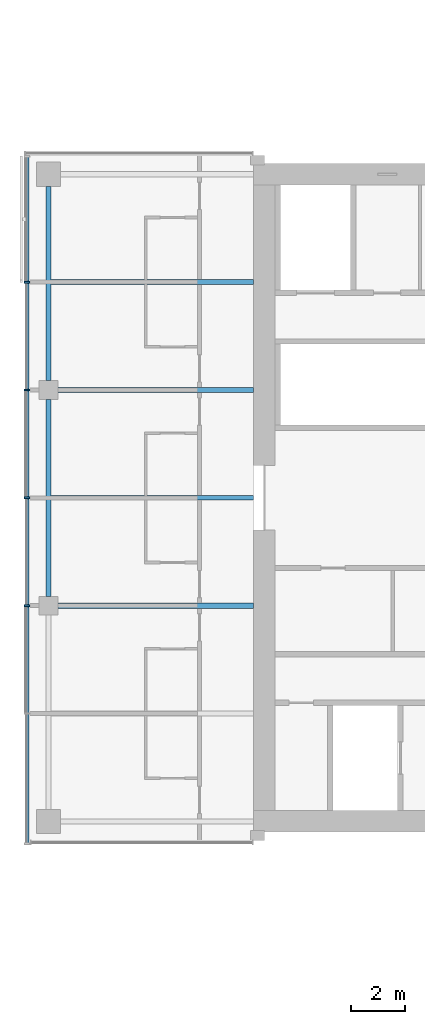
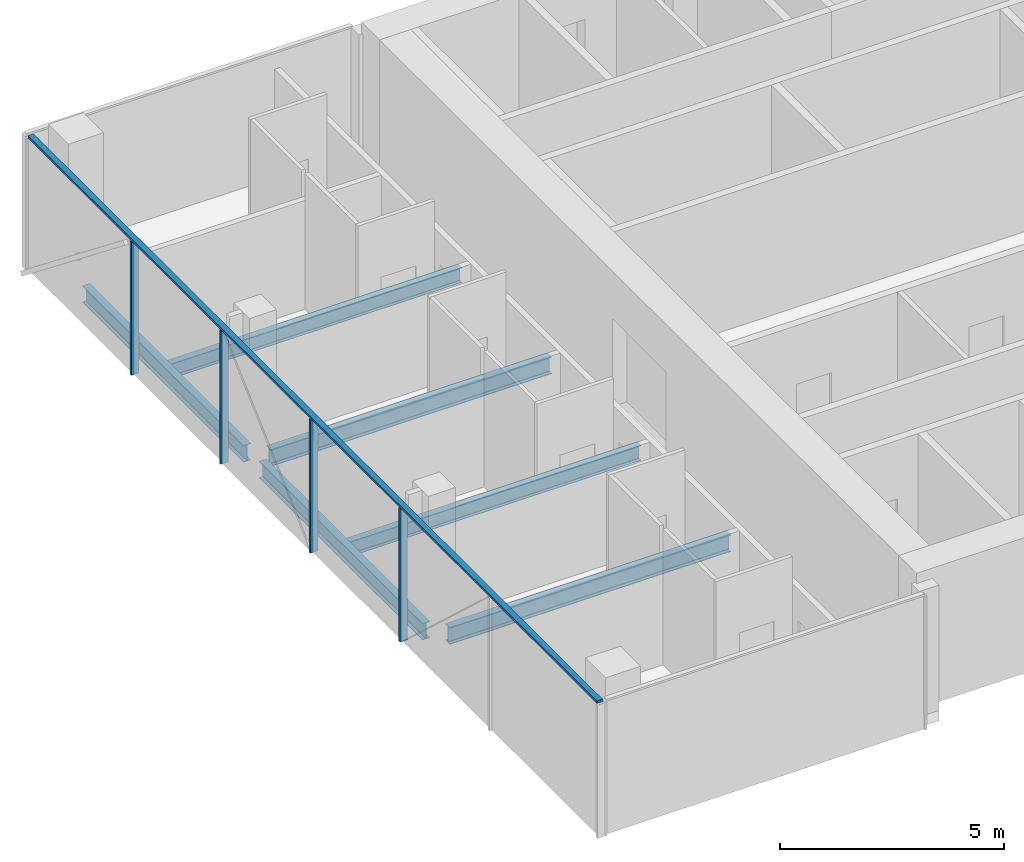
# One storey, part 6 of 27: 6 beams, 5 members, 1 element without a shape of its own.
"""IFC4 building model written with IfcOpenShell, lengths in metres."""

from ifc_helpers import new_model, si_unit, direction, frame, origin, origin_2d, place, context, subcontext, project, spatial, rectangle, i_section, extrude, material, material_profile, profile_set, type_object, element, aggregate, save


model = new_model("IFC4")

# Units and contexts
model_context = context("Model", 3, precision=1e-05, world=origin(), true_north=direction((0.0, 1.0)))
body_context = subcontext(model_context, "Body", "Model", "MODEL_VIEW")
ifc_project = project(units=[si_unit("LENGTHUNIT", "METRE"), si_unit("AREAUNIT", "SQUARE_METRE"), si_unit("VOLUMEUNIT", "CUBIC_METRE"), si_unit("PLANEANGLEUNIT", "RADIAN"), si_unit("MASSUNIT", "GRAM", prefix="KILO")], contexts=[model_context])

# Site, building, storey
site_placement = place(None, origin())
site = spatial("IfcSite", under=ifc_project, at=site_placement, CompositionType="ELEMENT")
building_placement = place(site_placement, origin())
building = spatial("IfcBuilding", under=site, at=building_placement, Name="Crosswind Convention Tower", CompositionType="ELEMENT")
storey_placement = place(building_placement, frame((0.0, 0.0, 64.60009765625)))
storey = spatial("IfcBuildingStorey", under=building, at=storey_placement, Name="L10", CompositionType="ELEMENT", Elevation=64.60009765625)

# Beams
ifc_material_1 = material(Name="Steel S355", Category="steel")
ifc_material_profile_1 = material_profile(ifc_material_1, i_section(OverallWidth=0.1904296875, OverallDepth=0.457275390625, WebThickness=0.009033203125, FlangeThickness=0.014404296875, FilletRadius=0.01025390625, at=origin_2d()), Name="UB 457x191x75")
ifc_profile_set_1 = profile_set([ifc_material_profile_1], Name="Steel S355")
beam_type_1 = type_object("IfcBeamType", Name="Edge beam UB 457x191x75", PredefinedType="SPANDREL", material=ifc_profile_set_1)
beam_1_placement = place(storey_placement, frame((89.0, 96.35009765625, -0.5087890625), z_axis=(0.0, 1.0, 0.0), x_axis=(-1.0, 0.0, 0.0)))
element("IfcBeam", 1, at=beam_1_placement, inside=storey, type_object=beam_type_1, Name="B17 L10 edge beam 2", PredefinedType="SPANDREL", context=body_context, shape_type="SweptSolid", body=[
    extrude(i_section(OverallWidth=0.1904296875, OverallDepth=0.457275390625, WebThickness=0.009033203125, FlangeThickness=0.014404296875, FilletRadius=0.01025390625, at=origin_2d()), origin(), (0.0, 0.0, 1.0), 7.2998046875),
])
beam_2_placement = place(storey_placement, frame((89.0, 104.35009765625, -0.5087890625), z_axis=(0.0, 1.0, 0.0), x_axis=(-1.0, 0.0, 0.0)))
element("IfcBeam", 2, at=beam_2_placement, inside=storey, type_object=beam_type_1, Name="B17 L10 edge beam 3", PredefinedType="SPANDREL", context=body_context, shape_type="SweptSolid", body=[
    extrude(i_section(OverallWidth=0.1904296875, OverallDepth=0.457275390625, WebThickness=0.009033203125, FlangeThickness=0.014404296875, FilletRadius=0.01025390625, at=origin_2d()), origin(), (0.0, 0.0, 1.0), 7.199951171875),
])
ifc_material_profile_2 = material_profile(ifc_material_1, i_section(OverallWidth=0.19189453125, OverallDepth=0.463623046875, WebThickness=0.010498046875, FlangeThickness=0.017578125, FilletRadius=0.01025390625, at=origin_2d()), Name="UB 457x191x90")
ifc_profile_set_2 = profile_set([ifc_material_profile_2], Name="Steel S355")
beam_type_2 = type_object("IfcBeamType", Name="Girder at core wall UB 457x191x90", PredefinedType="BEAM", material=ifc_profile_set_2)
for number, where, z_axis, x_axis, name in (
    (3, (89.35009765625, 96.0, -0.511962890625), (1.0, 0.0, 0.0), (0.0, 1.0, 0.0), "B24 L10 girder at core wall 1"),
    (4, (89.35009765625, 104.0, -0.511962890625), (1.0, 0.0, 0.0), (0.0, 1.0, 0.0), "B24 L10 girder at core wall 2"),
):
    element("IfcBeam", number, at=place(storey_placement, frame(where, z_axis=z_axis, x_axis=x_axis)), inside=storey, type_object=beam_type_2, Name=name, PredefinedType="BEAM", context=body_context, shape_type="SweptSolid", body=[
        extrude(i_section(OverallWidth=0.19189453125, OverallDepth=0.463623046875, WebThickness=0.010498046875, FlangeThickness=0.017578125, FilletRadius=0.01025390625, at=origin_2d()), origin(), (0.0, 0.0, 1.0), 7.25),
    ])

# Curtain wall, members
ifc_material_2 = material(Name="Aluminium unitised curtain wall", Category="aluminium")
curtain_wall_type = type_object("IfcCurtainWallType", Name="HOTEL UNITISED WALL 200", PredefinedType="USERDEFINED", material=ifc_material_2)
curtain_wall_placement = place(storey_placement, origin())
curtain_wall = element("IfcCurtainWall", 5, at=curtain_wall_placement, inside=storey, type_object=curtain_wall_type, Name="CW2 L10 W-TIP 1", ObjectType="UNITISED", PredefinedType="USERDEFINED")
ifc_material_3 = material(Name="Aluminium mullion", Category="aluminium")
ifc_material_profile_3 = material_profile(ifc_material_3, rectangle(XDim=0.199951171875, YDim=0.06494140625, at=origin_2d()), Name="AL 200X65")
ifc_profile_set_3 = profile_set([ifc_material_profile_3], Name="Aluminium mullion")
member_type_1 = type_object("IfcMemberType", Name="MULLION 65X200", PredefinedType="MULLION", material=ifc_profile_set_3)
member_1_placement = place(storey_placement, frame((88.199951171875, 108.0, -0.280029296875), z_axis=(0.0, 0.0, 1.0), x_axis=(-1.0, 0.0, 0.0)))
member_1 = element("IfcMember", 6, at=member_1_placement, type_object=member_type_1, Name="CW2 mullion 2", PredefinedType="MULLION", context=body_context, shape_type="SweptSolid", body=[
    extrude(rectangle(XDim=0.199951171875, YDim=0.06494140625, at=origin_2d()), origin(), (0.0, 0.0, 1.0), 3.635009765625),
])
member_2_placement = place(storey_placement, frame((88.199951171875, 104.0, -0.280029296875), z_axis=(0.0, 0.0, 1.0), x_axis=(-1.0, 0.0, 0.0)))
member_2 = element("IfcMember", 7, at=member_2_placement, type_object=member_type_1, Name="CW2 mullion 3", PredefinedType="MULLION", context=body_context, shape_type="SweptSolid", body=[
    extrude(rectangle(XDim=0.199951171875, YDim=0.06494140625, at=origin_2d()), origin(), (0.0, 0.0, 1.0), 3.635009765625),
])
member_3_placement = place(storey_placement, frame((88.199951171875, 100.0, -0.280029296875), z_axis=(0.0, 0.0, 1.0), x_axis=(-1.0, 0.0, 0.0)))
member_3 = element("IfcMember", 8, at=member_3_placement, type_object=member_type_1, Name="CW2 mullion 4", PredefinedType="MULLION", context=body_context, shape_type="SweptSolid", body=[
    extrude(rectangle(XDim=0.199951171875, YDim=0.06494140625, at=origin_2d()), origin(), (0.0, 0.0, 1.0), 3.635009765625),
])
member_4_placement = place(storey_placement, frame((88.199951171875, 96.0, -0.280029296875), z_axis=(0.0, 0.0, 1.0), x_axis=(-1.0, 0.0, 0.0)))
member_4 = element("IfcMember", 9, at=member_4_placement, type_object=member_type_1, Name="CW2 mullion 5", PredefinedType="MULLION", context=body_context, shape_type="SweptSolid", body=[
    extrude(rectangle(XDim=0.199951171875, YDim=0.06494140625, at=origin_2d()), origin(), (0.0, 0.0, 1.0), 3.635009765625),
])

# Beams
ifc_material_profile_4 = material_profile(ifc_material_1, i_section(OverallWidth=0.177734375, OverallDepth=0.406494140625, WebThickness=0.0078125, FlangeThickness=0.0126953125, FilletRadius=0.01025390625, at=origin_2d()), Name="UB 406x178x60")
ifc_profile_set_4 = profile_set([ifc_material_profile_4], Name="Steel S355")
beam_type_3 = type_object("IfcBeamType", Name="Secondary beam UB 406x178x60", PredefinedType="JOIST", material=ifc_profile_set_4)
for number, where, z_axis, x_axis, name in (
    (10, (89.09521484375, 100.0, -0.4833984375), (1.0, 0.0, 0.0), (0.0, 1.0, 0.0), "B10 L10 secondary beam 2"),
    (11, (89.09521484375, 108.0, -0.4833984375), (1.0, 0.0, 0.0), (0.0, 1.0, 0.0), "B10 L10 secondary beam 3"),
):
    element("IfcBeam", number, at=place(storey_placement, frame(where, z_axis=z_axis, x_axis=x_axis)), inside=storey, type_object=beam_type_3, Name=name, PredefinedType="JOIST", context=body_context, shape_type="SweptSolid", body=[
        extrude(i_section(OverallWidth=0.177734375, OverallDepth=0.406494140625, WebThickness=0.0078125, FlangeThickness=0.0126953125, FilletRadius=0.01025390625, at=origin_2d()), origin(), (0.0, 0.0, 1.0), 7.5048828125),
    ])

# Member
ifc_material_4 = material(Name="Aluminium transom", Category="aluminium")
ifc_material_profile_5 = material_profile(ifc_material_4, rectangle(XDim=0.14990234375, YDim=0.06494140625, at=origin_2d()), Name="AL 150X65")
ifc_profile_set_5 = profile_set([ifc_material_profile_5], Name="Aluminium transom")
member_type_2 = type_object("IfcMemberType", Name="TRANSOM 65X150", PredefinedType="USERDEFINED", material=ifc_profile_set_5)
member_5_placement = place(storey_placement, frame((88.199951171875, 112.635009765625, 3.387451171875), z_axis=(0.0, -1.0, 0.0), x_axis=(1.0, 0.0, 0.0)))
member_5 = element("IfcMember", 12, at=member_5_placement, type_object=member_type_2, Name="CW2 transom", ObjectType="TRANSOM", PredefinedType="USERDEFINED", context=body_context, shape_type="SweptSolid", body=[
    extrude(rectangle(XDim=0.14990234375, YDim=0.06494140625, at=origin_2d()), origin(), (0.0, 0.0, 1.0), 25.429931640625),
])

aggregate(curtain_wall, [member_1, member_2, member_3, member_4, member_5])

save(model, "model.ifc")
